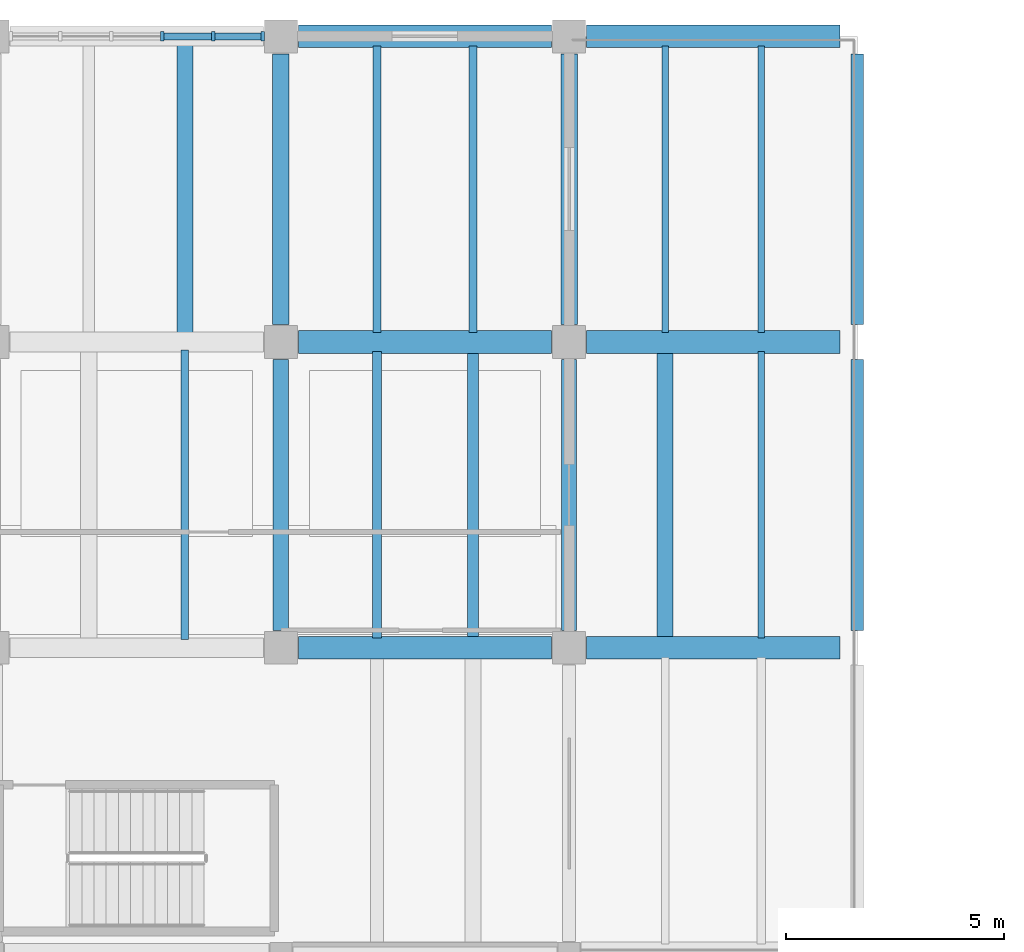
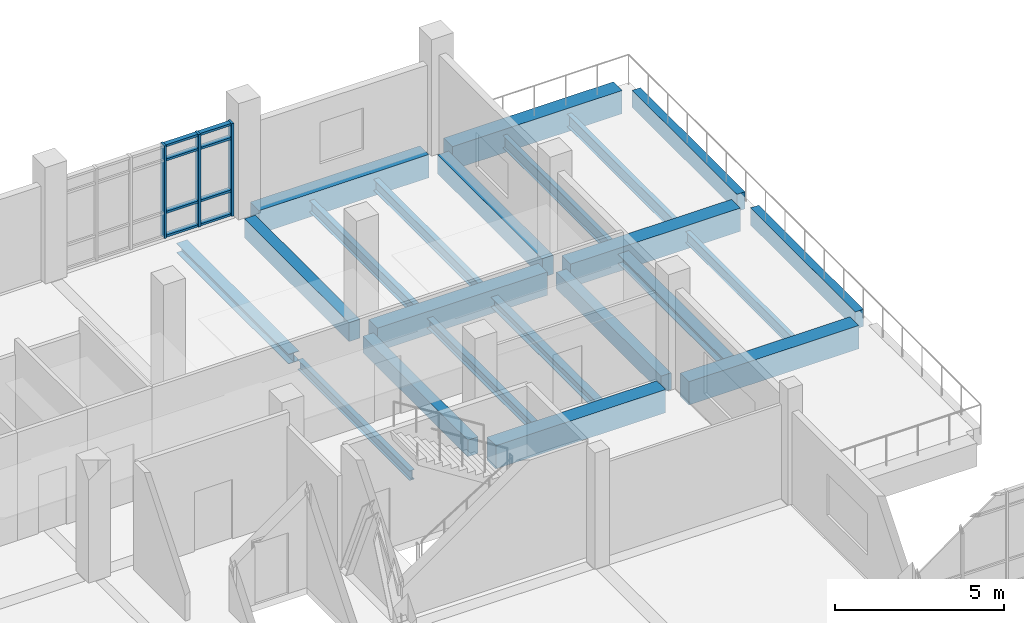
# One storey, part 33 of 65: 22 beams, 11 members, 1 element without a shape of its own.
"""IFC4 building model written with IfcOpenShell, lengths in metres."""

from ifc_helpers import new_model, si_unit, direction, frame, origin, origin_2d, place, context, subcontext, project, spatial, rectangle, i_section, extrude, material, material_profile, profile_set, type_object, element, aggregate, save


model = new_model("IFC4")

# Units and contexts
model_context = context("Model", 3, precision=1e-05, world=origin(), true_north=direction((0.0, 1.0)))
body_context = subcontext(model_context, "Body", "Model", "MODEL_VIEW")
ifc_project = project(units=[si_unit("LENGTHUNIT", "METRE"), si_unit("AREAUNIT", "SQUARE_METRE"), si_unit("VOLUMEUNIT", "CUBIC_METRE"), si_unit("PLANEANGLEUNIT", "RADIAN"), si_unit("MASSUNIT", "GRAM", prefix="KILO")], contexts=[model_context])

# Site, building, storey
site_placement = place(None, origin())
site = spatial("IfcSite", under=ifc_project, at=site_placement, CompositionType="ELEMENT")
building_placement = place(site_placement, origin())
building = spatial("IfcBuilding", under=site, at=building_placement, Name="Ciguamira Faculty of Natural Sciences", CompositionType="ELEMENT")
storey_placement = place(building_placement, frame((0.0, 0.0, 12.60009765625)))
storey = spatial("IfcBuildingStorey", under=building, at=storey_placement, Name="L03", CompositionType="ELEMENT", Elevation=12.60009765625)

# Curtain wall, members
ifc_material_1 = material(Name="Anodized aluminium curtain wall", Category="aluminium")
curtain_wall_type = type_object("IfcCurtainWallType", Name="CurtainWall_CW-03", PredefinedType="USERDEFINED", material=ifc_material_1)
curtain_wall_placement = place(storey_placement, origin())
curtain_wall = element("IfcCurtainWall", 1, at=curtain_wall_placement, inside=storey, type_object=curtain_wall_type, Name="L03 unitised curtain wall 0099", ObjectType="UNITISED CURTAIN WALL", PredefinedType="USERDEFINED")
ifc_material_2 = material(Name="Anodized aluminium mullion", Category="aluminium")
ifc_material_profile_1 = material_profile(ifc_material_2, rectangle(XDim=0.080078125, YDim=0.219970703125, at=origin_2d()), Name="ALU-MUL-80X220")
ifc_profile_set_1 = profile_set([ifc_material_profile_1], Name="Anodized aluminium mullion")
member_type_1 = type_object("IfcMemberType", Name="CWMullion_CWM-03", PredefinedType="MULLION", material=ifc_profile_set_1)
member_1_placement = place(storey_placement, frame((100.784912109375, 115.0, 0.0), z_axis=(0.0, 0.0, 1.0), x_axis=(1.0, 0.0, 0.0)))
member_1 = element("IfcMember", 2, at=member_1_placement, type_object=member_type_1, Name="CW-03 mullion 4", PredefinedType="MULLION", context=body_context, shape_type="SweptSolid", body=[
    extrude(rectangle(XDim=0.080078125, YDim=0.219970703125, at=origin_2d()), origin(), (0.0, 0.0, 1.0), 3.344970703125),
])
member_2_placement = place(storey_placement, frame((101.955078125, 115.0, 0.0), z_axis=(0.0, 0.0, 1.0), x_axis=(1.0, 0.0, 0.0)))
member_2 = element("IfcMember", 3, at=member_2_placement, type_object=member_type_1, Name="CW-03 mullion 5", PredefinedType="MULLION", context=body_context, shape_type="SweptSolid", body=[
    extrude(rectangle(XDim=0.080078125, YDim=0.219970703125, at=origin_2d()), origin(), (0.0, 0.0, 1.0), 3.344970703125),
])
member_3_placement = place(storey_placement, frame((103.0849609375, 115.0, 0.0), z_axis=(0.0, 0.0, 1.0), x_axis=(1.0, 0.0, 0.0)))
member_3 = element("IfcMember", 4, at=member_3_placement, type_object=member_type_1, Name="CW-03 mullion 6", PredefinedType="MULLION", context=body_context, shape_type="SweptSolid", body=[
    extrude(rectangle(XDim=0.080078125, YDim=0.219970703125, at=origin_2d()), origin(), (0.0, 0.0, 1.0), 3.344970703125),
])
ifc_material_3 = material(Name="Anodized aluminium transom", Category="aluminium")
ifc_material_profile_2 = material_profile(ifc_material_3, rectangle(XDim=0.080078125, YDim=0.159912109375, at=origin_2d()), Name="ALU-TRN-80X160")
ifc_profile_set_2 = profile_set([ifc_material_profile_2], Name="Anodized aluminium transom")
member_type_2 = type_object("IfcMemberType", Name="CWTransom_CWT-03", PredefinedType="USERDEFINED", material=ifc_profile_set_2)
member_4_placement = place(storey_placement, frame((100.824951171875, 115.0, 0.039794921875), z_axis=(1.0, 0.0, 0.0), x_axis=(0.0, 0.0, 1.0)))
member_4 = element("IfcMember", 5, at=member_4_placement, type_object=member_type_2, Name="CW-03 transom 4.1", ObjectType="TRANSOM", PredefinedType="USERDEFINED", context=body_context, shape_type="SweptSolid", body=[
    extrude(rectangle(XDim=0.080078125, YDim=0.159912109375, at=origin_2d()), origin(), (0.0, 0.0, 1.0), 1.090087890625),
])
member_5_placement = place(storey_placement, frame((100.824951171875, 115.0, 0.89990234375), z_axis=(1.0, 0.0, 0.0), x_axis=(0.0, 0.0, 1.0)))
member_5 = element("IfcMember", 6, at=member_5_placement, type_object=member_type_2, Name="CW-03 transom 4.2", ObjectType="TRANSOM", PredefinedType="USERDEFINED", context=body_context, shape_type="SweptSolid", body=[
    extrude(rectangle(XDim=0.080078125, YDim=0.159912109375, at=origin_2d()), origin(), (0.0, 0.0, 1.0), 1.090087890625),
])
member_6_placement = place(storey_placement, frame((100.824951171875, 115.0, 2.794921875), z_axis=(1.0, 0.0, 0.0), x_axis=(0.0, 0.0, 1.0)))
member_6 = element("IfcMember", 7, at=member_6_placement, type_object=member_type_2, Name="CW-03 transom 4.3", ObjectType="TRANSOM", PredefinedType="USERDEFINED", context=body_context, shape_type="SweptSolid", body=[
    extrude(rectangle(XDim=0.080078125, YDim=0.159912109375, at=origin_2d()), origin(), (0.0, 0.0, 1.0), 1.090087890625),
])
member_7_placement = place(storey_placement, frame((100.824951171875, 115.0, 3.304931640625), z_axis=(1.0, 0.0, 0.0), x_axis=(0.0, 0.0, 1.0)))
member_7 = element("IfcMember", 8, at=member_7_placement, type_object=member_type_2, Name="CW-03 transom 4.4", ObjectType="TRANSOM", PredefinedType="USERDEFINED", context=body_context, shape_type="SweptSolid", body=[
    extrude(rectangle(XDim=0.080078125, YDim=0.159912109375, at=origin_2d()), origin(), (0.0, 0.0, 1.0), 1.090087890625),
])
member_8_placement = place(storey_placement, frame((101.9951171875, 115.0, 0.039794921875), z_axis=(1.0, 0.0, 0.0), x_axis=(0.0, 0.0, 1.0)))
member_8 = element("IfcMember", 9, at=member_8_placement, type_object=member_type_2, Name="CW-03 transom 5.1", ObjectType="TRANSOM", PredefinedType="USERDEFINED", context=body_context, shape_type="SweptSolid", body=[
    extrude(rectangle(XDim=0.080078125, YDim=0.159912109375, at=origin_2d()), origin(), (0.0, 0.0, 1.0), 1.0498046875),
])
member_9_placement = place(storey_placement, frame((101.9951171875, 115.0, 0.89990234375), z_axis=(1.0, 0.0, 0.0), x_axis=(0.0, 0.0, 1.0)))
member_9 = element("IfcMember", 10, at=member_9_placement, type_object=member_type_2, Name="CW-03 transom 5.2", ObjectType="TRANSOM", PredefinedType="USERDEFINED", context=body_context, shape_type="SweptSolid", body=[
    extrude(rectangle(XDim=0.080078125, YDim=0.159912109375, at=origin_2d()), origin(), (0.0, 0.0, 1.0), 1.0498046875),
])
member_10_placement = place(storey_placement, frame((101.9951171875, 115.0, 2.794921875), z_axis=(1.0, 0.0, 0.0), x_axis=(0.0, 0.0, 1.0)))
member_10 = element("IfcMember", 11, at=member_10_placement, type_object=member_type_2, Name="CW-03 transom 5.3", ObjectType="TRANSOM", PredefinedType="USERDEFINED", context=body_context, shape_type="SweptSolid", body=[
    extrude(rectangle(XDim=0.080078125, YDim=0.159912109375, at=origin_2d()), origin(), (0.0, 0.0, 1.0), 1.0498046875),
])
member_11_placement = place(storey_placement, frame((101.9951171875, 115.0, 3.304931640625), z_axis=(1.0, 0.0, 0.0), x_axis=(0.0, 0.0, 1.0)))
member_11 = element("IfcMember", 12, at=member_11_placement, type_object=member_type_2, Name="CW-03 transom 5.4", ObjectType="TRANSOM", PredefinedType="USERDEFINED", context=body_context, shape_type="SweptSolid", body=[
    extrude(rectangle(XDim=0.080078125, YDim=0.159912109375, at=origin_2d()), origin(), (0.0, 0.0, 1.0), 1.0498046875),
])
aggregate(curtain_wall, [member_1, member_2, member_3, member_4, member_5, member_6, member_7, member_8, member_9, member_10, member_11])

# Beams
ifc_material_4 = material(Name="Concrete C40/50", Category="concrete")
ifc_material_profile_3 = material_profile(ifc_material_4, rectangle(XDim=0.3798828125, YDim=0.679931640625, at=origin_2d()), Name="RC-BM-380X680")
ifc_profile_set_3 = profile_set([ifc_material_profile_3], Name="Concrete C40/50")
beam_type_1 = type_object("IfcBeamType", Name="RCBeam_BG-09_RC-BM-380X680", PredefinedType="BEAM", material=ifc_profile_set_3)
for number, where, z_axis, x_axis, name in (
    (13, (103.5, 108.39990234375, -0.340087890625), (0.0, 1.0, 0.0), (-1.0, 0.0, 0.0), "L03 girder NS-1293"),
    (14, (110.10009765625, 108.39990234375, -0.340087890625), (0.0, 1.0, 0.0), (-1.0, 0.0, 0.0), "L03 girder NS-1306"),
):
    element("IfcBeam", number, at=place(storey_placement, frame(where, z_axis=z_axis, x_axis=x_axis)), inside=storey, type_object=beam_type_1, Name=name, PredefinedType="BEAM", context=body_context, shape_type="SweptSolid", body=[
        extrude(rectangle(XDim=0.3798828125, YDim=0.679931640625, at=origin_2d()), origin(), (0.0, 0.0, 1.0), 6.2001953125),
    ])
ifc_material_profile_4 = material_profile(ifc_material_4, rectangle(XDim=0.35009765625, YDim=0.60009765625, at=origin_2d()), Name="RC-BM-350X600")
ifc_profile_set_4 = profile_set([ifc_material_profile_4], Name="Concrete C40/50")
beam_type_2 = type_object("IfcBeamType", Name="RCBeam_BG-11_RC-BM-350X600", PredefinedType="BEAM", material=ifc_profile_set_4)
for number, where, z_axis, x_axis, name in (
    (15, (103.5, 101.39990234375, -0.300048828125), (0.0, 1.0, 0.0), (-1.0, 0.0, 0.0), "L03 girder NS-1292"),
    (16, (110.10009765625, 101.39990234375, -0.300048828125), (0.0, 1.0, 0.0), (-1.0, 0.0, 0.0), "L03 girder NS-1305"),
):
    element("IfcBeam", number, at=place(storey_placement, frame(where, z_axis=z_axis, x_axis=x_axis)), inside=storey, type_object=beam_type_2, Name=name, PredefinedType="BEAM", context=body_context, shape_type="SweptSolid", body=[
        extrude(rectangle(XDim=0.35009765625, YDim=0.60009765625, at=origin_2d()), origin(), (0.0, 0.0, 1.0), 6.2001953125),
    ])
ifc_material_5 = material(Name="Precast concrete C40/50", Category="concrete")
ifc_material_profile_5 = material_profile(ifc_material_5, rectangle(XDim=0.280029296875, YDim=0.6201171875, at=origin_2d()), Name="RC-SP-280X620")
ifc_profile_set_5 = profile_set([ifc_material_profile_5], Name="Precast concrete C40/50")
beam_type_3 = type_object("IfcBeamType", Name="RCBeam_SP-01_RC-SP-280X620", PredefinedType="SPANDREL", material=ifc_profile_set_5)
for number, where, z_axis, x_axis, name in (
    (17, (116.699951171875, 101.39990234375, -0.31005859375), (0.0, 1.0, 0.0), (-1.0, 0.0, 0.0), "L03 girder NS-1317"),
    (18, (116.699951171875, 108.39990234375, -0.31005859375), (0.0, 1.0, 0.0), (-1.0, 0.0, 0.0), "L03 girder NS-1318"),
):
    element("IfcBeam", number, at=place(storey_placement, frame(where, z_axis=z_axis, x_axis=x_axis)), inside=storey, type_object=beam_type_3, Name=name, PredefinedType="SPANDREL", context=body_context, shape_type="SweptSolid", body=[
        extrude(rectangle(XDim=0.280029296875, YDim=0.6201171875, at=origin_2d()), origin(), (0.0, 0.0, 1.0), 6.2001953125),
    ])
ifc_material_profile_6 = material_profile(ifc_material_4, rectangle(XDim=0.52001953125, YDim=0.840087890625, at=origin_2d()), Name="RC-TB-520X840")
ifc_profile_set_6 = profile_set([ifc_material_profile_6], Name="Concrete C40/50")
beam_type_4 = type_object("IfcBeamType", Name="RCBeam_TB-02_RC-TB-520X840", PredefinedType="T_BEAM", material=ifc_profile_set_6)
for number, where, z_axis, x_axis, name in (
    (19, (103.89990234375, 101.0, -0.420166015625), (1.0, 0.0, 0.0), (0.0, 1.0, 0.0), "L03 RC girder EW-1163"),
    (20, (110.5, 101.0, -0.420166015625), (1.0, 0.0, 0.0), (0.0, 1.0, 0.0), "L03 RC girder EW-1164"),
    (21, (103.89990234375, 108.0, -0.420166015625), (1.0, 0.0, 0.0), (0.0, 1.0, 0.0), "L03 RC girder EW-1172"),
    (22, (110.5, 108.0, -0.420166015625), (1.0, 0.0, 0.0), (0.0, 1.0, 0.0), "L03 RC girder EW-1173"),
    (23, (103.89990234375, 115.0, -0.420166015625), (1.0, 0.0, 0.0), (0.0, 1.0, 0.0), "L03 RC girder EW-1181"),
    (24, (110.5, 115.0, -0.420166015625), (1.0, 0.0, 0.0), (0.0, 1.0, 0.0), "L03 RC girder EW-1182"),
):
    element("IfcBeam", number, at=place(storey_placement, frame(where, z_axis=z_axis, x_axis=x_axis)), inside=storey, type_object=beam_type_4, Name=name, PredefinedType="T_BEAM", context=body_context, shape_type="SweptSolid", body=[
        extrude(rectangle(XDim=0.52001953125, YDim=0.840087890625, at=origin_2d()), origin(), (0.0, 0.0, 1.0), 5.800048828125),
    ])
ifc_material_6 = material(Name="Steel ASTM A992 Grade 50", Category="steel")
ifc_material_profile_7 = material_profile(ifc_material_6, i_section(OverallWidth=0.1708984375, OverallDepth=0.3505859375, WebThickness=0.0068359375, FlangeThickness=0.009765625, at=origin_2d()), Name="W14X30")
ifc_profile_set_7 = profile_set([ifc_material_profile_7], Name="Steel ASTM A992 Grade 50")
beam_type_5 = type_object("IfcBeamType", Name="SteelJoist_SJ-11_W14X30", PredefinedType="JOIST", material=ifc_profile_set_7)
beam_1_placement = place(storey_placement, frame((101.300048828125, 101.18505859375, -0.415283203125), z_axis=(0.0, 1.0, 0.0), x_axis=(-1.0, 0.0, 0.0)))
element("IfcBeam", 25, at=beam_1_placement, inside=storey, type_object=beam_type_5, Name="L03 composite steel joist 01201", PredefinedType="JOIST", context=body_context, shape_type="SweptSolid", body=[
    extrude(i_section(OverallWidth=0.1708984375, OverallDepth=0.3505859375, WebThickness=0.0068359375, FlangeThickness=0.009765625, at=origin_2d()), origin(), (0.0, 0.0, 1.0), 6.6298828125),
])
ifc_material_profile_8 = material_profile(ifc_material_6, i_section(OverallWidth=0.204833984375, OverallDepth=0.35302734375, WebThickness=0.00927734375, FlangeThickness=0.016845703125, at=origin_2d()), Name="W14X53")
ifc_profile_set_8 = profile_set([ifc_material_profile_8], Name="Steel ASTM A992 Grade 50")
beam_type_6 = type_object("IfcBeamType", Name="SteelJoist_SJ-13_W14X53", PredefinedType="JOIST", material=ifc_profile_set_8)
beam_2_placement = place(storey_placement, frame((105.699951171875, 101.219970703125, -0.41650390625), z_axis=(0.0, 1.0, 0.0), x_axis=(-1.0, 0.0, 0.0)))
element("IfcBeam", 26, at=beam_2_placement, inside=storey, type_object=beam_type_6, Name="L03 composite steel joist 01227", PredefinedType="JOIST", context=body_context, shape_type="SweptSolid", body=[
    extrude(i_section(OverallWidth=0.204833984375, OverallDepth=0.35302734375, WebThickness=0.00927734375, FlangeThickness=0.016845703125, at=origin_2d()), origin(), (0.0, 0.0, 1.0), 6.56005859375),
])
ifc_material_profile_9 = material_profile(ifc_material_6, i_section(OverallWidth=0.25390625, OverallDepth=0.355712890625, WebThickness=0.010498046875, FlangeThickness=0.018310546875, at=origin_2d()), Name="W14X68")
ifc_profile_set_9 = profile_set([ifc_material_profile_9], Name="Steel ASTM A992 Grade 50")
beam_type_7 = type_object("IfcBeamType", Name="SteelJoist_SJ-14_W14X68", PredefinedType="JOIST", material=ifc_profile_set_9)
beam_3_placement = place(storey_placement, frame((107.89990234375, 101.219970703125, -0.41796875), z_axis=(0.0, 1.0, 0.0), x_axis=(-1.0, 0.0, 0.0)))
element("IfcBeam", 27, at=beam_3_placement, inside=storey, type_object=beam_type_7, Name="L03 composite steel joist 01228", PredefinedType="JOIST", context=body_context, shape_type="SweptSolid", body=[
    extrude(i_section(OverallWidth=0.25390625, OverallDepth=0.355712890625, WebThickness=0.010498046875, FlangeThickness=0.018310546875, at=origin_2d()), origin(), (0.0, 0.0, 1.0), 6.56005859375),
])
ifc_material_profile_10 = material_profile(ifc_material_6, i_section(OverallWidth=0.368408203125, OverallDepth=0.355712890625, WebThickness=0.01123046875, FlangeThickness=0.01806640625, at=origin_2d()), Name="W14X90")
ifc_profile_set_10 = profile_set([ifc_material_profile_10], Name="Steel ASTM A992 Grade 50")
beam_type_8 = type_object("IfcBeamType", Name="SteelJoist_SJ-16_W14X90", PredefinedType="JOIST", material=ifc_profile_set_10)
beam_4_placement = place(storey_placement, frame((101.300048828125, 108.18505859375, -0.41796875), z_axis=(0.0, 1.0, 0.0), x_axis=(-1.0, 0.0, 0.0)))
element("IfcBeam", 28, at=beam_4_placement, inside=storey, type_object=beam_type_8, Name="L03 composite steel joist 01203", PredefinedType="JOIST", context=body_context, shape_type="SweptSolid", body=[
    extrude(i_section(OverallWidth=0.368408203125, OverallDepth=0.355712890625, WebThickness=0.01123046875, FlangeThickness=0.01806640625, at=origin_2d()), origin(), (0.0, 0.0, 1.0), 6.6298828125),
])
beam_5_placement = place(storey_placement, frame((112.300048828125, 101.219970703125, -0.3779296875), z_axis=(0.0, 1.0, 0.0), x_axis=(-1.0, 0.0, 0.0)))
element("IfcBeam", 29, at=beam_5_placement, inside=storey, type_object=beam_type_8, Name="L03 composite steel joist 01257", PredefinedType="JOIST", context=body_context, shape_type="SweptSolid", body=[
    extrude(i_section(OverallWidth=0.368408203125, OverallDepth=0.355712890625, WebThickness=0.01123046875, FlangeThickness=0.01806640625, at=origin_2d()), origin(), (0.0, 0.0, 1.0), 6.56005859375),
])
ifc_material_profile_11 = material_profile(ifc_material_6, i_section(OverallWidth=0.140380859375, OverallDepth=0.40380859375, WebThickness=0.007080078125, FlangeThickness=0.01123046875, at=origin_2d()), Name="W16X31")
ifc_profile_set_11 = profile_set([ifc_material_profile_11], Name="Steel ASTM A992 Grade 50")
beam_type_9 = type_object("IfcBeamType", Name="SteelJoist_SJ-17_W16X31", PredefinedType="JOIST", material=ifc_profile_set_11)
beam_6_placement = place(storey_placement, frame((114.5, 101.219970703125, -0.402099609375), z_axis=(0.0, 1.0, 0.0), x_axis=(-1.0, 0.0, 0.0)))
element("IfcBeam", 30, at=beam_6_placement, inside=storey, type_object=beam_type_9, Name="L03 composite steel joist 01258", PredefinedType="JOIST", context=body_context, shape_type="SweptSolid", body=[
    extrude(i_section(OverallWidth=0.140380859375, OverallDepth=0.40380859375, WebThickness=0.007080078125, FlangeThickness=0.01123046875, at=origin_2d()), origin(), (0.0, 0.0, 1.0), 6.56005859375),
])
ifc_material_profile_12 = material_profile(ifc_material_6, i_section(OverallWidth=0.177490234375, OverallDepth=0.40380859375, WebThickness=0.007568359375, FlangeThickness=0.010986328125, at=origin_2d()), Name="W16X36")
ifc_profile_set_12 = profile_set([ifc_material_profile_12], Name="Steel ASTM A992 Grade 50")
beam_type_10 = type_object("IfcBeamType", Name="SteelJoist_SJ-18_W16X36", PredefinedType="JOIST", material=ifc_profile_set_12)
beam_7_placement = place(storey_placement, frame((105.699951171875, 108.219970703125, -0.44189453125), z_axis=(0.0, 1.0, 0.0), x_axis=(-1.0, 0.0, 0.0)))
element("IfcBeam", 31, at=beam_7_placement, inside=storey, type_object=beam_type_10, Name="L03 composite steel joist 01229", PredefinedType="JOIST", context=body_context, shape_type="SweptSolid", body=[
    extrude(i_section(OverallWidth=0.177490234375, OverallDepth=0.40380859375, WebThickness=0.007568359375, FlangeThickness=0.010986328125, at=origin_2d()), origin(), (0.0, 0.0, 1.0), 6.56005859375),
])
ifc_material_profile_13 = material_profile(ifc_material_6, i_section(OverallWidth=0.1787109375, OverallDepth=0.408935546875, WebThickness=0.0087890625, FlangeThickness=0.014404296875, at=origin_2d()), Name="W16X45")
ifc_profile_set_13 = profile_set([ifc_material_profile_13], Name="Steel ASTM A992 Grade 50")
beam_type_11 = type_object("IfcBeamType", Name="SteelJoist_SJ-19_W16X45", PredefinedType="JOIST", material=ifc_profile_set_13)
beam_8_placement = place(storey_placement, frame((107.89990234375, 108.219970703125, -0.444580078125), z_axis=(0.0, 1.0, 0.0), x_axis=(-1.0, 0.0, 0.0)))
element("IfcBeam", 32, at=beam_8_placement, inside=storey, type_object=beam_type_11, Name="L03 composite steel joist 01230", PredefinedType="JOIST", context=body_context, shape_type="SweptSolid", body=[
    extrude(i_section(OverallWidth=0.1787109375, OverallDepth=0.408935546875, WebThickness=0.0087890625, FlangeThickness=0.014404296875, at=origin_2d()), origin(), (0.0, 0.0, 1.0), 6.56005859375),
])
ifc_material_profile_14 = material_profile(ifc_material_6, i_section(OverallWidth=0.15234375, OverallDepth=0.449462890625, WebThickness=0.007568359375, FlangeThickness=0.0107421875, at=origin_2d()), Name="W18X35")
ifc_profile_set_14 = profile_set([ifc_material_profile_14], Name="Steel ASTM A992 Grade 50")
beam_type_12 = type_object("IfcBeamType", Name="SteelJoist_SJ-21_W18X35", PredefinedType="JOIST", material=ifc_profile_set_14)
beam_9_placement = place(storey_placement, frame((112.300048828125, 108.219970703125, -0.4248046875), z_axis=(0.0, 1.0, 0.0), x_axis=(-1.0, 0.0, 0.0)))
element("IfcBeam", 33, at=beam_9_placement, inside=storey, type_object=beam_type_12, Name="L03 composite steel joist 01259", PredefinedType="JOIST", context=body_context, shape_type="SweptSolid", body=[
    extrude(i_section(OverallWidth=0.15234375, OverallDepth=0.449462890625, WebThickness=0.007568359375, FlangeThickness=0.0107421875, at=origin_2d()), origin(), (0.0, 0.0, 1.0), 6.56005859375),
])
ifc_material_profile_15 = material_profile(ifc_material_6, i_section(OverallWidth=0.15283203125, OverallDepth=0.45458984375, WebThickness=0.008056640625, FlangeThickness=0.013427734375, at=origin_2d()), Name="W18X40")
ifc_profile_set_15 = profile_set([ifc_material_profile_15], Name="Steel ASTM A992 Grade 50")
beam_type_13 = type_object("IfcBeamType", Name="SteelJoist_SJ-22_W18X40", PredefinedType="JOIST", material=ifc_profile_set_15)
beam_10_placement = place(storey_placement, frame((114.5, 108.219970703125, -0.427490234375), z_axis=(0.0, 1.0, 0.0), x_axis=(-1.0, 0.0, 0.0)))
element("IfcBeam", 34, at=beam_10_placement, inside=storey, type_object=beam_type_13, Name="L03 composite steel joist 01260", PredefinedType="JOIST", context=body_context, shape_type="SweptSolid", body=[
    extrude(i_section(OverallWidth=0.15283203125, OverallDepth=0.45458984375, WebThickness=0.008056640625, FlangeThickness=0.013427734375, at=origin_2d()), origin(), (0.0, 0.0, 1.0), 6.56005859375),
])

save(model, "model.ifc")
